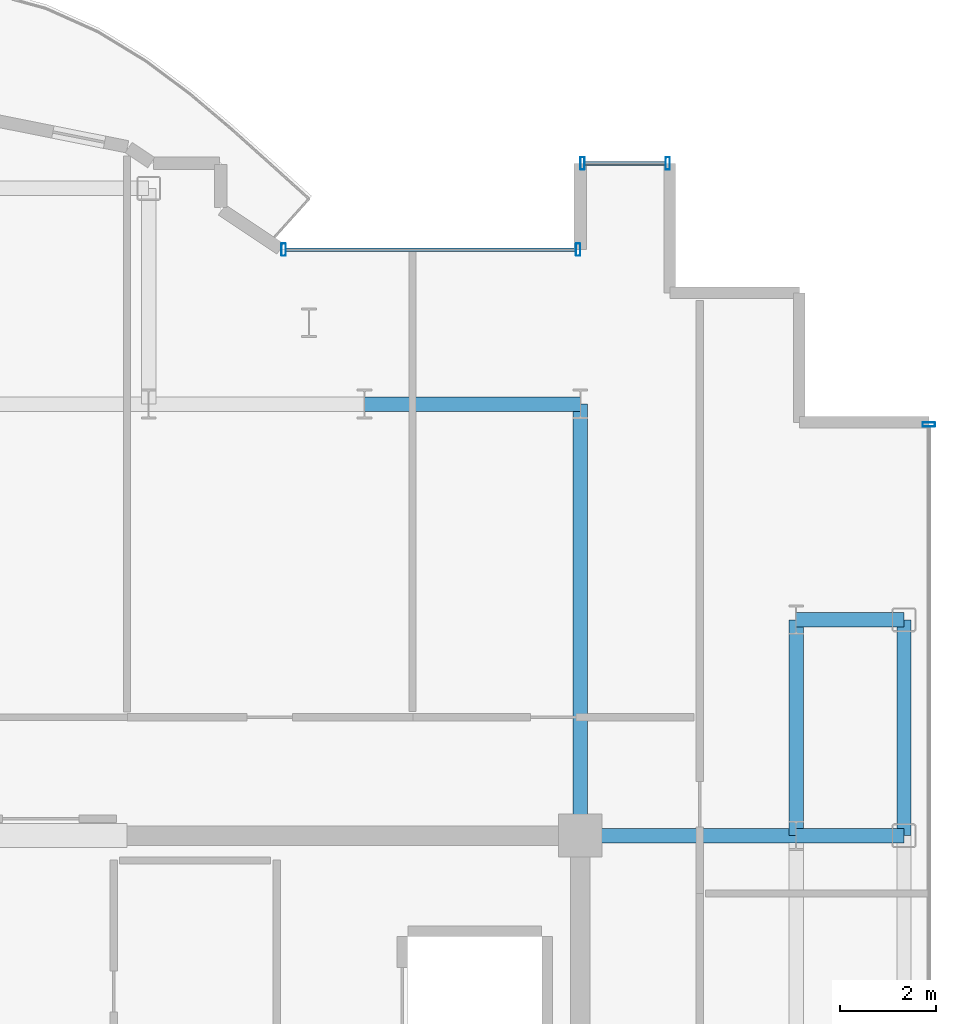
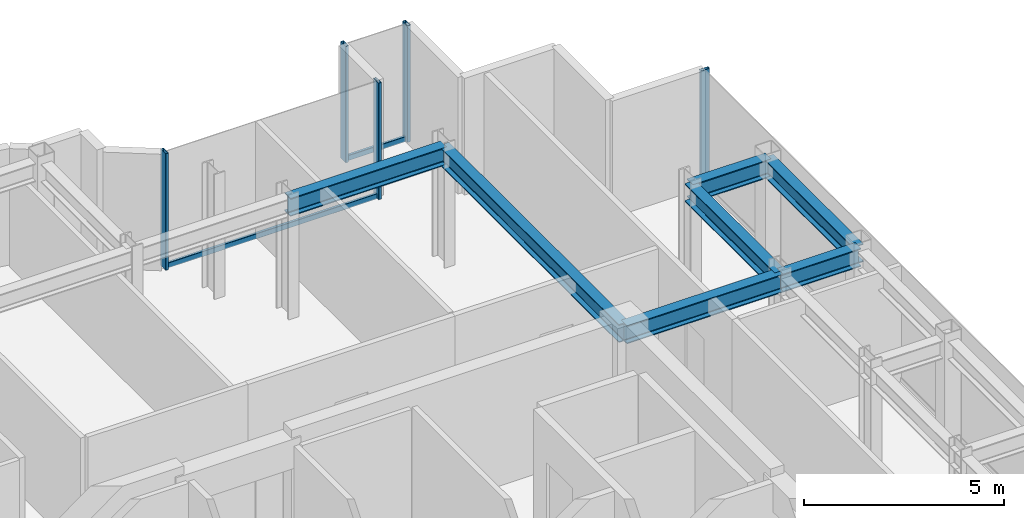
# One storey, part 11 of 18: 7 beams, 7 members, 3 elements without a shape of their own.
"""IFC4 building model written with IfcOpenShell, lengths in metres."""

from ifc_helpers import new_model, si_unit, direction, frame, origin, origin_2d, place, context, subcontext, project, spatial, hollow_rectangle, i_section, extrude, source, transform, mapped, material, layer, layer_set, material_profile, profile_set, type_object, element, aggregate, save


model = new_model("IFC4")

# Units and contexts
model_context = context("Model", 3, precision=1e-05, world=origin(), true_north=direction((0.0, 1.0)))
body_context = subcontext(model_context, "Body", "Model", "MODEL_VIEW")
ifc_project = project(units=[si_unit("LENGTHUNIT", "METRE"), si_unit("AREAUNIT", "SQUARE_METRE"), si_unit("VOLUMEUNIT", "CUBIC_METRE"), si_unit("PLANEANGLEUNIT", "RADIAN"), si_unit("MASSUNIT", "GRAM", prefix="KILO")], contexts=[model_context])

# Site, building, storey
site_placement = place(None, origin())
site = spatial("IfcSite", under=ifc_project, at=site_placement, CompositionType="ELEMENT")
building_placement = place(site_placement, origin())
building = spatial("IfcBuilding", under=site, at=building_placement, Name="Nefas-Gora Pilgrimage Tower", CompositionType="ELEMENT")
storey_placement = place(building_placement, frame((0.0, 0.0, 326.199951171875)))
storey = spatial("IfcBuildingStorey", under=building, at=storey_placement, Name="L82", CompositionType="ELEMENT", Elevation=326.199951171875)

# Beams
ifc_material_1 = material(Name="Steel S355", Category="steel")
ifc_material_profile_1 = material_profile(ifc_material_1, i_section(OverallWidth=0.300048828125, OverallDepth=0.550048828125, WebThickness=0.014892578125, FlangeThickness=0.029052734375, FilletRadius=0.027099609375, at=origin_2d()), Name="HEB 550")
ifc_profile_set_1 = profile_set([ifc_material_profile_1], Name="Steel S355")
beam_type_1 = type_object("IfcBeamType", Name="BM-SPN-HEB400", PredefinedType="SPANDREL", material=ifc_profile_set_1)
shared_shape_1 = source(origin(), body_context, "Body", "SweptSolid", [
    extrude(i_section(OverallWidth=0.300048828125, OverallDepth=0.550048828125, WebThickness=0.014892578125, FlangeThickness=0.029052734375, FilletRadius=0.027099609375, at=origin_2d()), origin(), (0.0, 0.0, 1.0), 4.5),
])
beam_1_placement = place(storey_placement, frame((18.0, 9.0, 3.275146484375), z_axis=(0.0, 1.0, 0.0), x_axis=(-1.0, 0.0, 0.0)))
element("IfcBeam", 1, at=beam_1_placement, inside=storey, type_object=beam_type_1, Name="L82 SP-04 beam", PredefinedType="SPANDREL", context=body_context, shape_type="MappedRepresentation", body=[
    mapped(shared_shape_1, transform((0.0, 0.0, 0.0), x_axis=(1.0, 0.0, 0.0), y_axis=(0.0, 1.0, 0.0), z_axis=(0.0, 0.0, 1.0), scale=1.0)),
])
ifc_material_profile_2 = material_profile(ifc_material_1, i_section(OverallWidth=0.300048828125, OverallDepth=0.550048828125, WebThickness=0.014892578125, FlangeThickness=0.029052734375, FilletRadius=0.027099609375, at=origin_2d()), Name="HEB 550")
ifc_profile_set_2 = profile_set([ifc_material_profile_2], Name="Steel S355")
beam_type_2 = type_object("IfcBeamType", Name="BM-GIR-HEB550", PredefinedType="BEAM", material=ifc_profile_set_2)
shared_shape_2 = source(origin(), body_context, "Body", "SweptSolid", [
    extrude(i_section(OverallWidth=0.300048828125, OverallDepth=0.550048828125, WebThickness=0.014892578125, FlangeThickness=0.029052734375, FilletRadius=0.027099609375, at=origin_2d()), origin(), (0.0, 0.0, 1.0), 9.0),
])
beam_2_placement = place(storey_placement, frame((11.25, 9.0, 3.275146484375), z_axis=(0.0, 1.0, 0.0), x_axis=(-1.0, 0.0, 0.0)))
element("IfcBeam", 2, at=beam_2_placement, inside=storey, type_object=beam_type_2, Name="L82 G-05 beam", PredefinedType="BEAM", context=body_context, shape_type="MappedRepresentation", body=[
    mapped(shared_shape_2, transform((0.0, 0.0, 0.0), x_axis=(1.0, 0.0, 0.0), y_axis=(0.0, 1.0, 0.0), z_axis=(0.0, 0.0, 1.0), scale=1.0)),
])
shared_shape_3 = source(origin(), body_context, "Body", "SweptSolid", [
    extrude(i_section(OverallWidth=0.300048828125, OverallDepth=0.550048828125, WebThickness=0.014892578125, FlangeThickness=0.029052734375, FilletRadius=0.027099609375, at=origin_2d()), origin(), (0.0, 0.0, 1.0), 4.5),
])
for number, where, z_axis, x_axis, name in (
    (3, (6.75, 18.0, 3.275146484375), (1.0, 0.0, 0.0), (0.0, 1.0, 0.0), "L82 G-05 beam"),
    (4, (11.25, 9.0, 3.275146484375), (1.0, 0.0, 0.0), (0.0, 1.0, 0.0), "L82 G-05 beam"),
    (5, (15.75, 9.0, 3.275146484375), (0.0, 1.0, 0.0), (-1.0, 0.0, 0.0), "L82 G-05 beam"),
):
    element("IfcBeam", number, at=place(storey_placement, frame(where, z_axis=z_axis, x_axis=x_axis)), inside=storey, type_object=beam_type_2, Name=name, PredefinedType="BEAM", context=body_context, shape_type="MappedRepresentation", body=[
        mapped(shared_shape_3, transform((0.0, 0.0, 0.0), x_axis=(1.0, 0.0, 0.0), y_axis=(0.0, 1.0, 0.0), z_axis=(0.0, 0.0, 1.0), scale=1.0)),
    ])
shared_shape_4 = source(origin(), body_context, "Body", "SweptSolid", [
    extrude(i_section(OverallWidth=0.300048828125, OverallDepth=0.550048828125, WebThickness=0.014892578125, FlangeThickness=0.029052734375, FilletRadius=0.027099609375, at=origin_2d()), origin(), (0.0, 0.0, 1.0), 2.25),
])
for number, where, z_axis, x_axis, name in (
    (6, (15.75, 9.0, 3.275146484375), (1.0, 0.0, 0.0), (0.0, 1.0, 0.0), "L82 G-05 beam"),
    (7, (15.75, 13.5, 3.275146484375), (1.0, 0.0, 0.0), (0.0, 1.0, 0.0), "L82 G-05 beam"),
):
    element("IfcBeam", number, at=place(storey_placement, frame(where, z_axis=z_axis, x_axis=x_axis)), inside=storey, type_object=beam_type_2, Name=name, PredefinedType="BEAM", context=body_context, shape_type="MappedRepresentation", body=[
        mapped(shared_shape_4, transform((0.0, 0.0, 0.0), x_axis=(1.0, 0.0, 0.0), y_axis=(0.0, 1.0, 0.0), z_axis=(0.0, 0.0, 1.0), scale=1.0)),
    ])

# Curtain wall, members
ifc_material_2 = material(Name="Dark ceramic-fritted solar-control aluminium-glass curtain wall", Category="aluminium")
ifc_layer_1 = layer(ifc_material_2, 0.219970703125)
ifc_layer_set_1 = layer_set([ifc_layer_1], Name="Dark ceramic-fritted solar-control aluminium-glass curtain wall")
curtain_wall_type_1 = type_object("IfcCurtainWallType", Name="CW-SYS-5", PredefinedType="NOTDEFINED", material=ifc_layer_set_1)
curtain_wall_1_placement = place(storey_placement, origin())
curtain_wall_1 = element("IfcCurtainWall", 8, at=curtain_wall_1_placement, inside=storey, type_object=curtain_wall_type_1, Name="L82 Unitised Curtain Wall CW5", PredefinedType="NOTDEFINED")
ifc_material_3 = material(Name="Anodised architectural aluminium", Category="aluminium")
ifc_material_profile_3 = material_profile(ifc_material_3, hollow_rectangle(XDim=0.090087890625, YDim=0.260009765625, WallThickness=0.006103515625, InnerFilletRadius=0.006103515625, OuterFilletRadius=0.011962890625, at=origin_2d()), Name="ALU MULLION 90x260")
ifc_profile_set_3 = profile_set([ifc_material_profile_3], Name="Anodised architectural aluminium")
member_type_1 = type_object("IfcMemberType", Name="CWM-MUL-5", PredefinedType="MULLION", material=ifc_profile_set_3)
shared_shape_5 = source(origin(), body_context, "Body", "SweptSolid", [
    extrude(hollow_rectangle(XDim=0.090087890625, YDim=0.260009765625, WallThickness=0.006103515625, InnerFilletRadius=0.006103515625, OuterFilletRadius=0.011962890625, at=origin_2d()), origin(), (0.0, 0.0, 1.0), 3.550048828125),
])
member_1_placement = place(storey_placement, frame((11.205078125, 21.219970703125, 0.0), z_axis=(0.0, 0.0, 1.0), x_axis=(-1.0, 0.0, 0.0)))
member_1 = element("IfcMember", 9, at=member_1_placement, type_object=member_type_1, Name="CW5 Mullion 1", PredefinedType="MULLION", context=body_context, shape_type="MappedRepresentation", body=[
    mapped(shared_shape_5, transform((0.0, 0.0, 0.0), x_axis=(1.0, 0.0, 0.0), y_axis=(0.0, 1.0, 0.0), z_axis=(0.0, 0.0, 1.0), scale=1.0)),
])
member_2_placement = place(storey_placement, frame((5.06298828125, 21.219970703125, 0.0), z_axis=(0.0, 0.0, 1.0), x_axis=(-1.0, 0.0, 0.0)))
member_2 = element("IfcMember", 10, at=member_2_placement, type_object=member_type_1, Name="CW5 Mullion 2", PredefinedType="MULLION", context=body_context, shape_type="MappedRepresentation", body=[
    mapped(shared_shape_5, transform((0.0, 0.0, 0.0), x_axis=(1.0, 0.0, 0.0), y_axis=(0.0, 1.0, 0.0), z_axis=(0.0, 0.0, 1.0), scale=1.0)),
])
ifc_material_profile_4 = material_profile(ifc_material_3, hollow_rectangle(XDim=0.080078125, YDim=0.159912109375, WallThickness=0.00439453125, InnerFilletRadius=0.00439453125, OuterFilletRadius=0.009033203125, at=origin_2d()), Name="ALU TRANSOM 80x160")
ifc_profile_set_4 = profile_set([ifc_material_profile_4], Name="Anodised architectural aluminium")
member_type_2 = type_object("IfcMemberType", Name="CWM-TRN-5", PredefinedType="USERDEFINED", material=ifc_profile_set_4)
shared_shape_6 = source(origin(), body_context, "Body", "SweptSolid", [
    extrude(hollow_rectangle(XDim=0.080078125, YDim=0.159912109375, WallThickness=0.00439453125, InnerFilletRadius=0.00439453125, OuterFilletRadius=0.009033203125, at=origin_2d()), origin(), (0.0, 0.0, 1.0), 6.052001953125),
])
member_3_placement = place(storey_placement, frame((11.159912109375, 21.219970703125, 0.050048828125), z_axis=(-1.0, 0.0, 0.0), x_axis=(0.0, -1.0, 0.0)))
member_3 = element("IfcMember", 11, at=member_3_placement, type_object=member_type_2, Name="CW5 Spandrel Transom", ObjectType="TRANSOM", PredefinedType="USERDEFINED", context=body_context, shape_type="MappedRepresentation", body=[
    mapped(shared_shape_6, transform((0.0, 0.0, 0.0), x_axis=(1.0, 0.0, 0.0), y_axis=(0.0, 1.0, 0.0), z_axis=(0.0, 0.0, 1.0), scale=1.0)),
])
aggregate(curtain_wall_1, [member_1, member_2, member_3])

# Curtain wall, member
ifc_layer_2 = layer(ifc_material_2, 0.219970703125)
ifc_layer_set_2 = layer_set([ifc_layer_2], Name="Dark ceramic-fritted solar-control aluminium-glass curtain wall")
curtain_wall_type_2 = type_object("IfcCurtainWallType", Name="CW-SYS-4", PredefinedType="NOTDEFINED", material=ifc_layer_set_2)
curtain_wall_2_placement = place(storey_placement, origin())
curtain_wall_2 = element("IfcCurtainWall", 12, at=curtain_wall_2_placement, inside=storey, type_object=curtain_wall_type_2, Name="L82 Unitised Curtain Wall CW4", PredefinedType="NOTDEFINED")
ifc_material_profile_5 = material_profile(ifc_material_3, hollow_rectangle(XDim=0.080078125, YDim=0.159912109375, WallThickness=0.00439453125, InnerFilletRadius=0.00439453125, OuterFilletRadius=0.009033203125, at=origin_2d()), Name="ALU TRANSOM 80x160")
ifc_profile_set_5 = profile_set([ifc_material_profile_5], Name="Anodised architectural aluminium")
member_type_3 = type_object("IfcMemberType", Name="CWM-TRN-4", PredefinedType="USERDEFINED", material=ifc_profile_set_5)
shared_shape_7 = source(origin(), body_context, "Body", "SweptSolid", [
    extrude(hollow_rectangle(XDim=0.080078125, YDim=0.159912109375, WallThickness=0.00439453125, InnerFilletRadius=0.00439453125, OuterFilletRadius=0.009033203125, at=origin_2d()), origin(), (0.0, 0.0, 1.0), 1.68994140625),
])
member_4_placement = place(storey_placement, frame((13.030029296875, 23.02001953125, 0.050048828125), z_axis=(-1.0, 0.0, 0.0), x_axis=(0.0, -1.0, 0.0)))
member_4 = element("IfcMember", 13, at=member_4_placement, type_object=member_type_3, Name="CW4 Spandrel Transom", ObjectType="TRANSOM", PredefinedType="USERDEFINED", context=body_context, shape_type="MappedRepresentation", body=[
    mapped(shared_shape_7, transform((0.0, 0.0, 0.0), x_axis=(1.0, 0.0, 0.0), y_axis=(0.0, 1.0, 0.0), z_axis=(0.0, 0.0, 1.0), scale=1.0)),
])

curtain_wall_3_placement = place(storey_placement, origin())
curtain_wall_3 = element("IfcCurtainWall", 14, at=curtain_wall_3_placement, inside=storey, type_object=curtain_wall_type_2, Name="L82 Unitised Curtain Wall CW4", PredefinedType="NOTDEFINED")
ifc_material_profile_6 = material_profile(ifc_material_3, hollow_rectangle(XDim=0.090087890625, YDim=0.260009765625, WallThickness=0.006103515625, InnerFilletRadius=0.006103515625, OuterFilletRadius=0.011962890625, at=origin_2d()), Name="ALU MULLION 90x260")
ifc_profile_set_6 = profile_set([ifc_material_profile_6], Name="Anodised architectural aluminium")
member_type_4 = type_object("IfcMemberType", Name="CWM-MUL-4", PredefinedType="MULLION", material=ifc_profile_set_6)
shared_shape_8 = source(origin(), body_context, "Body", "SweptSolid", [
    extrude(hollow_rectangle(XDim=0.090087890625, YDim=0.260009765625, WallThickness=0.006103515625, InnerFilletRadius=0.006103515625, OuterFilletRadius=0.011962890625, at=origin_2d()), origin(), (0.0, 0.0, 1.0), 3.550048828125),
])
member_5_placement = place(storey_placement, frame((18.52001953125, 17.574951171875, 0.0), z_axis=(0.0, 0.0, 1.0), x_axis=(0.0, 1.0, 0.0)))
member_5 = element("IfcMember", 15, at=member_5_placement, type_object=member_type_4, Name="CW4 Mullion 3", PredefinedType="MULLION", context=body_context, shape_type="MappedRepresentation", body=[
    mapped(shared_shape_8, transform((0.0, 0.0, 0.0), x_axis=(1.0, 0.0, 0.0), y_axis=(0.0, 1.0, 0.0), z_axis=(0.0, 0.0, 1.0), scale=1.0)),
])
aggregate(curtain_wall_3, [member_5])

# Member
member_6_placement = place(storey_placement, frame((13.074951171875, 23.02001953125, 0.0), z_axis=(0.0, 0.0, 1.0), x_axis=(-1.0, 0.0, 0.0)))
member_6 = element("IfcMember", 16, at=member_6_placement, type_object=member_type_4, Name="CW4 Mullion 1", PredefinedType="MULLION", context=body_context, shape_type="MappedRepresentation", body=[
    mapped(shared_shape_8, transform((0.0, 0.0, 0.0), x_axis=(1.0, 0.0, 0.0), y_axis=(0.0, 1.0, 0.0), z_axis=(0.0, 0.0, 1.0), scale=1.0)),
])

member_7_placement = place(storey_placement, frame((11.294921875, 23.02001953125, 0.0), z_axis=(0.0, 0.0, 1.0), x_axis=(-1.0, 0.0, 0.0)))
member_7 = element("IfcMember", 17, at=member_7_placement, type_object=member_type_4, Name="CW4 Mullion 2", PredefinedType="MULLION", context=body_context, shape_type="MappedRepresentation", body=[
    mapped(shared_shape_8, transform((0.0, 0.0, 0.0), x_axis=(1.0, 0.0, 0.0), y_axis=(0.0, 1.0, 0.0), z_axis=(0.0, 0.0, 1.0), scale=1.0)),
])

aggregate(curtain_wall_2, [member_6, member_7, member_4])

save(model, "model.ifc")
